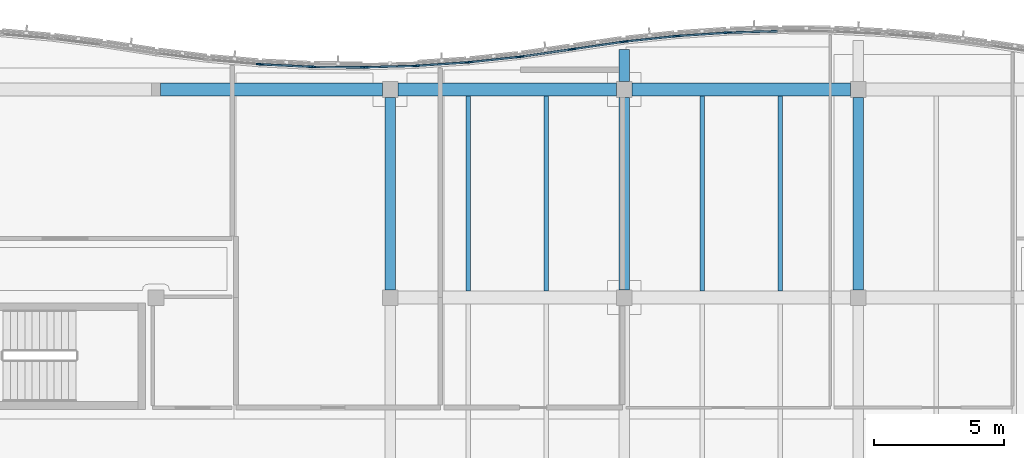
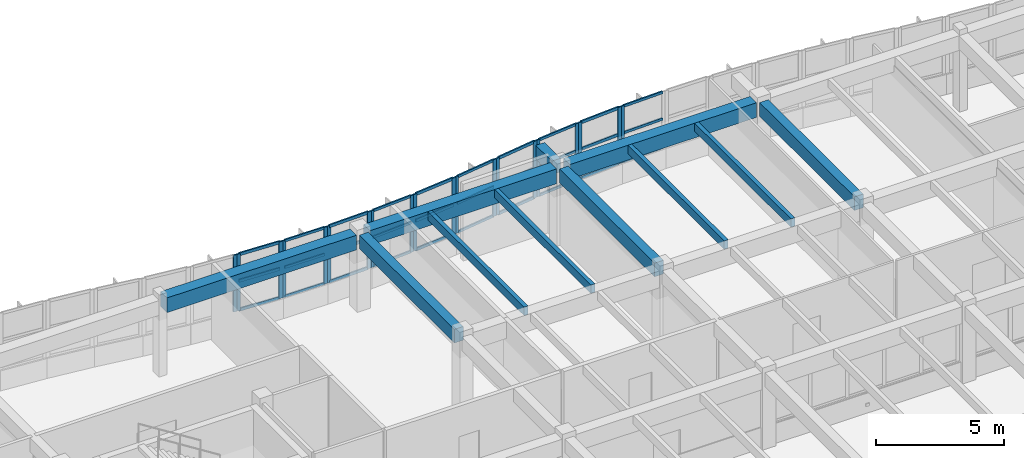
# One storey, part 23 of 89: 50 members, 11 beams, 11 elements without a shape of their own.
"""IFC4 building model written with IfcOpenShell, lengths in metres."""

from ifc_helpers import new_model, si_unit, direction, frame, origin, origin_2d, place, context, subcontext, project, spatial, rectangle, extrude, material, layer, layer_set, material_profile, profile_set, type_object, element, aggregate, save


model = new_model("IFC4")

# Units and contexts
model_context = context("Model", 3, precision=1e-05, world=origin(), true_north=direction((0.0, 1.0)))
body_context = subcontext(model_context, "Body", "Model", "MODEL_VIEW")
ifc_project = project(units=[si_unit("LENGTHUNIT", "METRE"), si_unit("AREAUNIT", "SQUARE_METRE"), si_unit("VOLUMEUNIT", "CUBIC_METRE"), si_unit("PLANEANGLEUNIT", "RADIAN"), si_unit("MASSUNIT", "GRAM", prefix="KILO")], contexts=[model_context])

# Site, building, storey
site_placement = place(None, origin())
site = spatial("IfcSite", under=ifc_project, at=site_placement, CompositionType="ELEMENT")
building_placement = place(site_placement, origin())
building = spatial("IfcBuilding", under=site, at=building_placement, Name="Tonlespit Floodbar School", CompositionType="ELEMENT")
storey_placement = place(building_placement, frame((0.0, 0.0, 4.5)))
storey = spatial("IfcBuildingStorey", under=building, at=storey_placement, Name="L01", CompositionType="ELEMENT", Elevation=4.5)

# Beams
ifc_material_1 = material(Name="Concrete C40/50", Category="concrete")
ifc_material_profile_1 = material_profile(ifc_material_1, rectangle(XDim=0.39990234375, YDim=0.64990234375, at=origin_2d()), Name="RC 400x650")
ifc_profile_set_1 = profile_set([ifc_material_profile_1], Name="Concrete C40/50")
beam_type_1 = type_object("IfcBeamType", Name="Beam_RC_400x650", PredefinedType="BEAM", material=ifc_profile_set_1)
for number, where, z_axis, x_axis, name in (
    (1, (71.0, 112.300048828125, 3.320068359375), (0.0, 1.0, 0.0), (-1.0, 0.0, 0.0), "L01 girder 0733"),
    (2, (80.0, 112.300048828125, 3.320068359375), (0.0, 1.0, 0.0), (-1.0, 0.0, 0.0), "L01 girder 0736"),
    (3, (89.0, 112.300048828125, 3.320068359375), (0.0, 1.0, 0.0), (-1.0, 0.0, 0.0), "L01 girder 0739"),
):
    element("IfcBeam", number, at=place(storey_placement, frame(where, z_axis=z_axis, x_axis=x_axis)), inside=storey, type_object=beam_type_1, Name=name, PredefinedType="BEAM", context=body_context, shape_type="SweptSolid", body=[
        extrude(rectangle(XDim=0.39990234375, YDim=0.64990234375, at=origin_2d()), origin(), (0.0, 0.0, 1.0), 7.39990234375),
    ])
beam_1_placement = place(storey_placement, frame((80.0, 120.300048828125, 3.320068359375), z_axis=(0.0, 1.0, 0.0), x_axis=(-1.0, 0.0, 0.0)))
element("IfcBeam", 4, at=beam_1_placement, inside=storey, type_object=beam_type_1, Name="L01 north street wave cantilever bracket", PredefinedType="BEAM", context=body_context, shape_type="SweptSolid", body=[
    extrude(rectangle(XDim=0.39990234375, YDim=0.64990234375, at=origin_2d()), origin(), (0.0, 0.0, 1.0), 1.241455078125),
])

# Curtain wall, member
ifc_material_2 = material(Name="Anodised Aluminium", Category="aluminium")
ifc_layer_1 = layer(ifc_material_2, 0.159912109375)
ifc_layer_set_1 = layer_set([ifc_layer_1], Name="Anodised Aluminium")
curtain_wall_type_1 = type_object("IfcCurtainWallType", Name="CurtainWall_1950x2700", PredefinedType="NOTDEFINED", material=ifc_layer_set_1)
curtain_wall_1_placement = place(storey_placement, origin())
curtain_wall_1 = element("IfcCurtainWall", 5, at=curtain_wall_1_placement, inside=storey, type_object=curtain_wall_type_1, Name="L01 unitised curtain wall 0050", PredefinedType="NOTDEFINED")
ifc_material_profile_2 = material_profile(ifc_material_2, rectangle(XDim=0.06494140625, YDim=0.14990234375, at=origin_2d()), Name="ALU M65x150")
ifc_profile_set_2 = profile_set([ifc_material_profile_2], Name="Anodised Aluminium")
member_type_1 = type_object("IfcMemberType", Name="CW_Mullion_65x150", PredefinedType="MULLION", material=ifc_profile_set_2)
member_1_placement = place(storey_placement, frame((65.927734375, 120.974853515625, 0.949951171875), z_axis=(0.0, 0.0, 1.0), x_axis=(0.086531117454, 0.996249148412, 0.0)))
member_1 = element("IfcMember", 6, at=member_1_placement, type_object=member_type_1, Name="CW-04 mullion 2", PredefinedType="MULLION", context=body_context, shape_type="SweptSolid", body=[
    extrude(rectangle(XDim=0.06494140625, YDim=0.14990234375, at=origin_2d()), origin(), (0.0, 0.0, 1.0), 2.699951171875),
])
aggregate(curtain_wall_1, [member_1])

# Curtain wall, members
ifc_layer_2 = layer(ifc_material_2, 0.159912109375)
ifc_layer_set_2 = layer_set([ifc_layer_2], Name="Anodised Aluminium")
curtain_wall_type_2 = type_object("IfcCurtainWallType", Name="CurtainWall_1900x2700", PredefinedType="NOTDEFINED", material=ifc_layer_set_2)
curtain_wall_2_placement = place(storey_placement, origin())
curtain_wall_2 = element("IfcCurtainWall", 7, at=curtain_wall_2_placement, inside=storey, type_object=curtain_wall_type_2, Name="L01 unitised curtain wall 0052", PredefinedType="NOTDEFINED")
member_2_placement = place(storey_placement, frame((68.072509765625, 120.87158203125, 0.949951171875), z_axis=(0.0, 0.0, 1.0), x_axis=(0.009582893292, 0.999954083024, 0.0)))
member_2 = element("IfcMember", 8, at=member_2_placement, type_object=member_type_1, Name="CW-05 mullion 1", PredefinedType="MULLION", context=body_context, shape_type="SweptSolid", body=[
    extrude(rectangle(XDim=0.06494140625, YDim=0.14990234375, at=origin_2d()), origin(), (0.0, 0.0, 1.0), 2.699951171875),
])
member_3_placement = place(storey_placement, frame((69.927490234375, 120.853759765625, 0.949951171875), z_axis=(0.0, 0.0, 1.0), x_axis=(0.009582893292, 0.999954083024, 0.0)))
member_3 = element("IfcMember", 9, at=member_3_placement, type_object=member_type_1, Name="CW-05 mullion 2", PredefinedType="MULLION", context=body_context, shape_type="SweptSolid", body=[
    extrude(rectangle(XDim=0.06494140625, YDim=0.14990234375, at=origin_2d()), origin(), (0.0, 0.0, 1.0), 2.699951171875),
])

curtain_wall_3_placement = place(storey_placement, origin())
curtain_wall_3 = element("IfcCurtainWall", 10, at=curtain_wall_3_placement, inside=storey, type_object=curtain_wall_type_2, Name="L01 unitised curtain wall 0054", PredefinedType="NOTDEFINED")
member_4_placement = place(storey_placement, frame((72.072265625, 120.91552734375, 0.949951171875), z_axis=(0.0, 0.0, 1.0), x_axis=(-0.067339767311, 0.99773010165, 0.0)))
member_4 = element("IfcMember", 11, at=member_4_placement, type_object=member_type_1, Name="CW-05 mullion 1", PredefinedType="MULLION", context=body_context, shape_type="SweptSolid", body=[
    extrude(rectangle(XDim=0.06494140625, YDim=0.14990234375, at=origin_2d()), origin(), (0.0, 0.0, 1.0), 2.699951171875),
])
member_5_placement = place(storey_placement, frame((73.927734375, 121.040771484375, 0.949951171875), z_axis=(0.0, 0.0, 1.0), x_axis=(-0.067339767311, 0.99773010165, 0.0)))
member_5 = element("IfcMember", 12, at=member_5_placement, type_object=member_type_1, Name="CW-05 mullion 2", PredefinedType="MULLION", context=body_context, shape_type="SweptSolid", body=[
    extrude(rectangle(XDim=0.06494140625, YDim=0.14990234375, at=origin_2d()), origin(), (0.0, 0.0, 1.0), 2.699951171875),
])

curtain_wall_4_placement = place(storey_placement, origin())
curtain_wall_4 = element("IfcCurtainWall", 13, at=curtain_wall_4_placement, inside=storey, type_object=curtain_wall_type_1, Name="L01 unitised curtain wall 0056", PredefinedType="NOTDEFINED")
member_6_placement = place(storey_placement, frame((76.07177734375, 121.268798828125, 0.949951171875), z_axis=(0.0, 0.0, 1.0), x_axis=(-0.144248041079, 0.989541561858, 0.0)))
member_6 = element("IfcMember", 14, at=member_6_placement, type_object=member_type_1, Name="CW-04 mullion 1", PredefinedType="MULLION", context=body_context, shape_type="SweptSolid", body=[
    extrude(rectangle(XDim=0.06494140625, YDim=0.14990234375, at=origin_2d()), origin(), (0.0, 0.0, 1.0), 2.699951171875),
])
member_7_placement = place(storey_placement, frame((77.92822265625, 121.53955078125, 0.949951171875), z_axis=(0.0, 0.0, 1.0), x_axis=(-0.144248041079, 0.989541561858, 0.0)))
member_7 = element("IfcMember", 15, at=member_7_placement, type_object=member_type_1, Name="CW-04 mullion 2", PredefinedType="MULLION", context=body_context, shape_type="SweptSolid", body=[
    extrude(rectangle(XDim=0.06494140625, YDim=0.14990234375, at=origin_2d()), origin(), (0.0, 0.0, 1.0), 2.699951171875),
])

curtain_wall_5_placement = place(storey_placement, origin())
curtain_wall_5 = element("IfcCurtainWall", 16, at=curtain_wall_5_placement, inside=storey, type_object=curtain_wall_type_1, Name="L01 unitised curtain wall 0058", PredefinedType="NOTDEFINED")
member_8_placement = place(storey_placement, frame((80.072021484375, 121.84912109375, 0.949951171875), z_axis=(0.0, 0.0, 1.0), x_axis=(-0.105787143968, 0.994388797288, 0.0)))
member_8 = element("IfcMember", 17, at=member_8_placement, type_object=member_type_1, Name="CW-04 mullion 1", PredefinedType="MULLION", context=body_context, shape_type="SweptSolid", body=[
    extrude(rectangle(XDim=0.06494140625, YDim=0.14990234375, at=origin_2d()), origin(), (0.0, 0.0, 1.0), 2.699951171875),
])
member_9_placement = place(storey_placement, frame((81.927978515625, 122.046630859375, 0.949951171875), z_axis=(0.0, 0.0, 1.0), x_axis=(-0.105787143968, 0.994388797288, 0.0)))
member_9 = element("IfcMember", 18, at=member_9_placement, type_object=member_type_1, Name="CW-04 mullion 2", PredefinedType="MULLION", context=body_context, shape_type="SweptSolid", body=[
    extrude(rectangle(XDim=0.06494140625, YDim=0.14990234375, at=origin_2d()), origin(), (0.0, 0.0, 1.0), 2.699951171875),
])

# Curtain wall, member
curtain_wall_6_placement = place(storey_placement, origin())
curtain_wall_6 = element("IfcCurtainWall", 19, at=curtain_wall_6_placement, inside=storey, type_object=curtain_wall_type_2, Name="L01 unitised curtain wall 0060", PredefinedType="NOTDEFINED")
member_10_placement = place(storey_placement, frame((84.072509765625, 122.19140625, 0.949951171875), z_axis=(0.0, 0.0, 1.0), x_axis=(-0.028790144226, 0.999585477883, 0.0)))
member_10 = element("IfcMember", 20, at=member_10_placement, type_object=member_type_1, Name="CW-05 mullion 1", PredefinedType="MULLION", context=body_context, shape_type="SweptSolid", body=[
    extrude(rectangle(XDim=0.06494140625, YDim=0.14990234375, at=origin_2d()), origin(), (0.0, 0.0, 1.0), 2.699951171875),
])

# Curtain wall, members
curtain_wall_7_placement = place(storey_placement, origin())
curtain_wall_7 = element("IfcCurtainWall", 21, at=curtain_wall_7_placement, inside=storey, type_object=curtain_wall_type_2, Name="L01 unitised curtain wall 0051", PredefinedType="NOTDEFINED")
ifc_material_profile_3 = material_profile(ifc_material_2, rectangle(XDim=0.06494140625, YDim=0.179931640625, at=origin_2d()), Name="ALU M65x180")
ifc_profile_set_3 = profile_set([ifc_material_profile_3], Name="Anodised Aluminium")
member_type_2 = type_object("IfcMemberType", Name="CW_Mullion_65x180", PredefinedType="MULLION", material=ifc_profile_set_3)
member_11_placement = place(storey_placement, frame((66.072509765625, 120.965087890625, 0.949951171875), z_axis=(0.0, 0.0, 1.0), x_axis=(0.048121270216, 0.998841500616, 0.0)))
member_11 = element("IfcMember", 22, at=member_11_placement, type_object=member_type_2, Name="CW-05 mullion 1", PredefinedType="MULLION", context=body_context, shape_type="SweptSolid", body=[
    extrude(rectangle(XDim=0.06494140625, YDim=0.179931640625, at=origin_2d()), origin(), (0.0, 0.0, 1.0), 2.699951171875),
])
member_12_placement = place(storey_placement, frame((67.927490234375, 120.875732421875, 0.949951171875), z_axis=(0.0, 0.0, 1.0), x_axis=(0.048121270216, 0.998841500616, 0.0)))
member_12 = element("IfcMember", 23, at=member_12_placement, type_object=member_type_2, Name="CW-05 mullion 2", PredefinedType="MULLION", context=body_context, shape_type="SweptSolid", body=[
    extrude(rectangle(XDim=0.06494140625, YDim=0.179931640625, at=origin_2d()), origin(), (0.0, 0.0, 1.0), 2.699951171875),
])

curtain_wall_8_placement = place(storey_placement, origin())
curtain_wall_8 = element("IfcCurtainWall", 24, at=curtain_wall_8_placement, inside=storey, type_object=curtain_wall_type_2, Name="L01 unitised curtain wall 0053", PredefinedType="NOTDEFINED")
member_13_placement = place(storey_placement, frame((70.072509765625, 120.855224609375, 0.949951171875), z_axis=(0.0, 0.0, 1.0), x_axis=(-0.028790144226, 0.999585477883, 0.0)))
member_13 = element("IfcMember", 25, at=member_13_placement, type_object=member_type_2, Name="CW-05 mullion 1", PredefinedType="MULLION", context=body_context, shape_type="SweptSolid", body=[
    extrude(rectangle(XDim=0.06494140625, YDim=0.179931640625, at=origin_2d()), origin(), (0.0, 0.0, 1.0), 2.699951171875),
])
member_14_placement = place(storey_placement, frame((71.927490234375, 120.908447265625, 0.949951171875), z_axis=(0.0, 0.0, 1.0), x_axis=(-0.028790144226, 0.999585477883, 0.0)))
member_14 = element("IfcMember", 26, at=member_14_placement, type_object=member_type_2, Name="CW-05 mullion 2", PredefinedType="MULLION", context=body_context, shape_type="SweptSolid", body=[
    extrude(rectangle(XDim=0.06494140625, YDim=0.179931640625, at=origin_2d()), origin(), (0.0, 0.0, 1.0), 2.699951171875),
])

curtain_wall_9_placement = place(storey_placement, origin())
curtain_wall_9 = element("IfcCurtainWall", 27, at=curtain_wall_9_placement, inside=storey, type_object=curtain_wall_type_1, Name="L01 unitised curtain wall 0055", PredefinedType="NOTDEFINED")
member_15_placement = place(storey_placement, frame((74.072021484375, 121.05322265625, 0.949951171875), z_axis=(0.0, 0.0, 1.0), x_axis=(-0.105787143968, 0.994388797288, 0.0)))
member_15 = element("IfcMember", 28, at=member_15_placement, type_object=member_type_2, Name="CW-04 mullion 1", PredefinedType="MULLION", context=body_context, shape_type="SweptSolid", body=[
    extrude(rectangle(XDim=0.06494140625, YDim=0.179931640625, at=origin_2d()), origin(), (0.0, 0.0, 1.0), 2.699951171875),
])
member_16_placement = place(storey_placement, frame((75.927978515625, 121.250732421875, 0.949951171875), z_axis=(0.0, 0.0, 1.0), x_axis=(-0.105787143968, 0.994388797288, 0.0)))
member_16 = element("IfcMember", 29, at=member_16_placement, type_object=member_type_2, Name="CW-04 mullion 2", PredefinedType="MULLION", context=body_context, shape_type="SweptSolid", body=[
    extrude(rectangle(XDim=0.06494140625, YDim=0.179931640625, at=origin_2d()), origin(), (0.0, 0.0, 1.0), 2.699951171875),
])

curtain_wall_10_placement = place(storey_placement, origin())
curtain_wall_10 = element("IfcCurtainWall", 30, at=curtain_wall_10_placement, inside=storey, type_object=curtain_wall_type_1, Name="L01 unitised curtain wall 0057", PredefinedType="NOTDEFINED")
member_17_placement = place(storey_placement, frame((78.07177734375, 121.560546875, 0.949951171875), z_axis=(0.0, 0.0, 1.0), x_axis=(-0.144248041079, 0.989541561858, 0.0)))
member_17 = element("IfcMember", 31, at=member_17_placement, type_object=member_type_2, Name="CW-04 mullion 1", PredefinedType="MULLION", context=body_context, shape_type="SweptSolid", body=[
    extrude(rectangle(XDim=0.06494140625, YDim=0.179931640625, at=origin_2d()), origin(), (0.0, 0.0, 1.0), 2.699951171875),
])
member_18_placement = place(storey_placement, frame((79.92822265625, 121.8310546875, 0.949951171875), z_axis=(0.0, 0.0, 1.0), x_axis=(-0.144248041079, 0.989541561858, 0.0)))
member_18 = element("IfcMember", 32, at=member_18_placement, type_object=member_type_2, Name="CW-04 mullion 2", PredefinedType="MULLION", context=body_context, shape_type="SweptSolid", body=[
    extrude(rectangle(XDim=0.06494140625, YDim=0.179931640625, at=origin_2d()), origin(), (0.0, 0.0, 1.0), 2.699951171875),
])

curtain_wall_11_placement = place(storey_placement, origin())
curtain_wall_11 = element("IfcCurtainWall", 33, at=curtain_wall_11_placement, inside=storey, type_object=curtain_wall_type_2, Name="L01 unitised curtain wall 0059", PredefinedType="NOTDEFINED")
member_19_placement = place(storey_placement, frame((82.072265625, 122.05908203125, 0.949951171875), z_axis=(0.0, 0.0, 1.0), x_axis=(-0.067339767311, 0.99773010165, 0.0)))
member_19 = element("IfcMember", 34, at=member_19_placement, type_object=member_type_2, Name="CW-05 mullion 1", PredefinedType="MULLION", context=body_context, shape_type="SweptSolid", body=[
    extrude(rectangle(XDim=0.06494140625, YDim=0.179931640625, at=origin_2d()), origin(), (0.0, 0.0, 1.0), 2.699951171875),
])
member_20_placement = place(storey_placement, frame((83.927734375, 122.184326171875, 0.949951171875), z_axis=(0.0, 0.0, 1.0), x_axis=(-0.067339767311, 0.99773010165, 0.0)))
member_20 = element("IfcMember", 35, at=member_20_placement, type_object=member_type_2, Name="CW-05 mullion 2", PredefinedType="MULLION", context=body_context, shape_type="SweptSolid", body=[
    extrude(rectangle(XDim=0.06494140625, YDim=0.179931640625, at=origin_2d()), origin(), (0.0, 0.0, 1.0), 2.699951171875),
])

# Member
ifc_material_profile_4 = material_profile(ifc_material_2, rectangle(XDim=0.06494140625, YDim=0.1201171875, at=origin_2d()), Name="ALU T65x120")
ifc_profile_set_4 = profile_set([ifc_material_profile_4], Name="Anodised Aluminium")
member_type_3 = type_object("IfcMemberType", Name="CW_Transom_65x120", PredefinedType="USERDEFINED", material=ifc_profile_set_4)
member_21_placement = place(storey_placement, frame((68.10498046875, 120.87109375, 0.982421875), z_axis=(0.999954428693, -0.00954675532, 0.0), x_axis=(0.00954675532, 0.999954428693, 0.0)))
member_21 = element("IfcMember", 36, at=member_21_placement, type_object=member_type_3, Name="CW-05 transom 1.1", ObjectType="TRANSOM", PredefinedType="USERDEFINED", context=body_context, shape_type="SweptSolid", body=[
    extrude(rectangle(XDim=0.06494140625, YDim=0.1201171875, at=origin_2d()), origin(), (0.0, 0.0, 1.0), 1.7900390625),
])

member_22_placement = place(storey_placement, frame((68.10498046875, 120.87109375, 2.35400390625), z_axis=(0.999954428693, -0.00954675532, 0.0), x_axis=(0.00954675532, 0.999954428693, 0.0)))
member_22 = element("IfcMember", 37, at=member_22_placement, type_object=member_type_3, Name="CW-05 transom 1.2", ObjectType="TRANSOM", PredefinedType="USERDEFINED", context=body_context, shape_type="SweptSolid", body=[
    extrude(rectangle(XDim=0.06494140625, YDim=0.1201171875, at=origin_2d()), origin(), (0.0, 0.0, 1.0), 1.7900390625),
])

member_23_placement = place(storey_placement, frame((68.10498046875, 120.87109375, 3.617431640625), z_axis=(0.999954428693, -0.00954675532, 0.0), x_axis=(0.00954675532, 0.999954428693, 0.0)))
member_23 = element("IfcMember", 38, at=member_23_placement, type_object=member_type_3, Name="CW-05 transom 1.3", ObjectType="TRANSOM", PredefinedType="USERDEFINED", context=body_context, shape_type="SweptSolid", body=[
    extrude(rectangle(XDim=0.06494140625, YDim=0.1201171875, at=origin_2d()), origin(), (0.0, 0.0, 1.0), 1.7900390625),
])

aggregate(curtain_wall_2, [member_2, member_3, member_21, member_22, member_23])

member_24_placement = place(storey_placement, frame((72.104736328125, 120.917724609375, 0.982421875), z_axis=(0.997730041674, 0.067340655935, 0.0), x_axis=(-0.067340655935, 0.997730041674, 0.0)))
member_24 = element("IfcMember", 39, at=member_24_placement, type_object=member_type_3, Name="CW-05 transom 1.1", ObjectType="TRANSOM", PredefinedType="USERDEFINED", context=body_context, shape_type="SweptSolid", body=[
    extrude(rectangle(XDim=0.06494140625, YDim=0.1201171875, at=origin_2d()), origin(), (0.0, 0.0, 1.0), 1.794677734375),
])

member_25_placement = place(storey_placement, frame((72.104736328125, 120.917724609375, 2.35400390625), z_axis=(0.997730041674, 0.067340655935, 0.0), x_axis=(-0.067340655935, 0.997730041674, 0.0)))
member_25 = element("IfcMember", 40, at=member_25_placement, type_object=member_type_3, Name="CW-05 transom 1.2", ObjectType="TRANSOM", PredefinedType="USERDEFINED", context=body_context, shape_type="SweptSolid", body=[
    extrude(rectangle(XDim=0.06494140625, YDim=0.1201171875, at=origin_2d()), origin(), (0.0, 0.0, 1.0), 1.794677734375),
])

member_26_placement = place(storey_placement, frame((72.104736328125, 120.917724609375, 3.617431640625), z_axis=(0.997730041674, 0.067340655935, 0.0), x_axis=(-0.067340655935, 0.997730041674, 0.0)))
member_26 = element("IfcMember", 41, at=member_26_placement, type_object=member_type_3, Name="CW-05 transom 1.3", ObjectType="TRANSOM", PredefinedType="USERDEFINED", context=body_context, shape_type="SweptSolid", body=[
    extrude(rectangle(XDim=0.06494140625, YDim=0.1201171875, at=origin_2d()), origin(), (0.0, 0.0, 1.0), 1.794677734375),
])

aggregate(curtain_wall_3, [member_4, member_5, member_24, member_25, member_26])

member_27_placement = place(storey_placement, frame((76.10400390625, 121.273681640625, 0.982421875), z_axis=(0.989541000818, 0.144251889765, 0.0), x_axis=(-0.144251889765, 0.989541000818, 0.0)))
member_27 = element("IfcMember", 42, at=member_27_placement, type_object=member_type_3, Name="CW-04 transom 1.1", ObjectType="TRANSOM", PredefinedType="USERDEFINED", context=body_context, shape_type="SweptSolid", body=[
    extrude(rectangle(XDim=0.06494140625, YDim=0.1201171875, at=origin_2d()), origin(), (0.0, 0.0, 1.0), 1.81103515625),
])

member_28_placement = place(storey_placement, frame((76.10400390625, 121.273681640625, 2.35400390625), z_axis=(0.989541000818, 0.144251889765, 0.0), x_axis=(-0.144251889765, 0.989541000818, 0.0)))
member_28 = element("IfcMember", 43, at=member_28_placement, type_object=member_type_3, Name="CW-04 transom 1.2", ObjectType="TRANSOM", PredefinedType="USERDEFINED", context=body_context, shape_type="SweptSolid", body=[
    extrude(rectangle(XDim=0.06494140625, YDim=0.1201171875, at=origin_2d()), origin(), (0.0, 0.0, 1.0), 1.81103515625),
])

member_29_placement = place(storey_placement, frame((76.10400390625, 121.273681640625, 3.617431640625), z_axis=(0.989541000818, 0.144251889765, 0.0), x_axis=(-0.144251889765, 0.989541000818, 0.0)))
member_29 = element("IfcMember", 44, at=member_29_placement, type_object=member_type_3, Name="CW-04 transom 1.3", ObjectType="TRANSOM", PredefinedType="USERDEFINED", context=body_context, shape_type="SweptSolid", body=[
    extrude(rectangle(XDim=0.06494140625, YDim=0.1201171875, at=origin_2d()), origin(), (0.0, 0.0, 1.0), 1.81103515625),
])

aggregate(curtain_wall_4, [member_6, member_7, member_27, member_28, member_29])

member_30_placement = place(storey_placement, frame((80.1044921875, 121.852783203125, 0.982421875), z_axis=(0.994394979136, 0.105729019047, 0.0), x_axis=(-0.105729019047, 0.994394979136, 0.0)))
member_30 = element("IfcMember", 45, at=member_30_placement, type_object=member_type_3, Name="CW-04 transom 1.1", ObjectType="TRANSOM", PredefinedType="USERDEFINED", context=body_context, shape_type="SweptSolid", body=[
    extrude(rectangle(XDim=0.06494140625, YDim=0.1201171875, at=origin_2d()), origin(), (0.0, 0.0, 1.0), 1.801025390625),
])

member_31_placement = place(storey_placement, frame((80.1044921875, 121.852783203125, 2.35400390625), z_axis=(0.994394979136, 0.105729019047, 0.0), x_axis=(-0.105729019047, 0.994394979136, 0.0)))
member_31 = element("IfcMember", 46, at=member_31_placement, type_object=member_type_3, Name="CW-04 transom 1.2", ObjectType="TRANSOM", PredefinedType="USERDEFINED", context=body_context, shape_type="SweptSolid", body=[
    extrude(rectangle(XDim=0.06494140625, YDim=0.1201171875, at=origin_2d()), origin(), (0.0, 0.0, 1.0), 1.801025390625),
])

member_32_placement = place(storey_placement, frame((80.1044921875, 121.852783203125, 3.617431640625), z_axis=(0.994394979136, 0.105729019047, 0.0), x_axis=(-0.105729019047, 0.994394979136, 0.0)))
member_32 = element("IfcMember", 47, at=member_32_placement, type_object=member_type_3, Name="CW-04 transom 1.3", ObjectType="TRANSOM", PredefinedType="USERDEFINED", context=body_context, shape_type="SweptSolid", body=[
    extrude(rectangle(XDim=0.06494140625, YDim=0.1201171875, at=origin_2d()), origin(), (0.0, 0.0, 1.0), 1.801025390625),
])

aggregate(curtain_wall_5, [member_8, member_9, member_30, member_31, member_32])

member_33_placement = place(storey_placement, frame((84.10498046875, 122.1923828125, 0.982421875), z_axis=(0.999586171543, 0.02876605049, 0.0), x_axis=(-0.02876605049, 0.999586171543, 0.0)))
member_33 = element("IfcMember", 48, at=member_33_placement, type_object=member_type_3, Name="CW-05 transom 1.1", ObjectType="TRANSOM", PredefinedType="USERDEFINED", context=body_context, shape_type="SweptSolid", body=[
    extrude(rectangle(XDim=0.06494140625, YDim=0.1201171875, at=origin_2d()), origin(), (0.0, 0.0, 1.0), 1.790771484375),
])

member_34_placement = place(storey_placement, frame((84.10498046875, 122.1923828125, 2.35400390625), z_axis=(0.999586171543, 0.02876605049, 0.0), x_axis=(-0.02876605049, 0.999586171543, 0.0)))
member_34 = element("IfcMember", 49, at=member_34_placement, type_object=member_type_3, Name="CW-05 transom 1.2", ObjectType="TRANSOM", PredefinedType="USERDEFINED", context=body_context, shape_type="SweptSolid", body=[
    extrude(rectangle(XDim=0.06494140625, YDim=0.1201171875, at=origin_2d()), origin(), (0.0, 0.0, 1.0), 1.790771484375),
])

member_35_placement = place(storey_placement, frame((84.10498046875, 122.1923828125, 3.617431640625), z_axis=(0.999586171543, 0.02876605049, 0.0), x_axis=(-0.02876605049, 0.999586171543, 0.0)))
member_35 = element("IfcMember", 50, at=member_35_placement, type_object=member_type_3, Name="CW-05 transom 1.3", ObjectType="TRANSOM", PredefinedType="USERDEFINED", context=body_context, shape_type="SweptSolid", body=[
    extrude(rectangle(XDim=0.06494140625, YDim=0.1201171875, at=origin_2d()), origin(), (0.0, 0.0, 1.0), 1.790771484375),
])

aggregate(curtain_wall_6, [member_10, member_33, member_34, member_35])

ifc_material_profile_5 = material_profile(ifc_material_2, rectangle(XDim=0.06494140625, YDim=0.139892578125, at=origin_2d()), Name="ALU T65x140")
ifc_profile_set_5 = profile_set([ifc_material_profile_5], Name="Anodised Aluminium")
member_type_4 = type_object("IfcMemberType", Name="CW_Transom_65x140", PredefinedType="USERDEFINED", material=ifc_profile_set_5)
member_36_placement = place(storey_placement, frame((66.10498046875, 120.96337890625, 0.982421875), z_axis=(0.998843034795, -0.048089415069, 0.0), x_axis=(0.048089415069, 0.998843034795, 0.0)))
member_36 = element("IfcMember", 51, at=member_36_placement, type_object=member_type_4, Name="CW-05 transom 1.1", ObjectType="TRANSOM", PredefinedType="USERDEFINED", context=body_context, shape_type="SweptSolid", body=[
    extrude(rectangle(XDim=0.06494140625, YDim=0.139892578125, at=origin_2d()), origin(), (0.0, 0.0, 1.0), 1.7919921875),
])

member_37_placement = place(storey_placement, frame((66.10498046875, 120.96337890625, 2.35400390625), z_axis=(0.998843034795, -0.048089415069, 0.0), x_axis=(0.048089415069, 0.998843034795, 0.0)))
member_37 = element("IfcMember", 52, at=member_37_placement, type_object=member_type_4, Name="CW-05 transom 1.2", ObjectType="TRANSOM", PredefinedType="USERDEFINED", context=body_context, shape_type="SweptSolid", body=[
    extrude(rectangle(XDim=0.06494140625, YDim=0.139892578125, at=origin_2d()), origin(), (0.0, 0.0, 1.0), 1.7919921875),
])

member_38_placement = place(storey_placement, frame((66.10498046875, 120.96337890625, 3.617431640625), z_axis=(0.998843034795, -0.048089415069, 0.0), x_axis=(0.048089415069, 0.998843034795, 0.0)))
member_38 = element("IfcMember", 53, at=member_38_placement, type_object=member_type_4, Name="CW-05 transom 1.3", ObjectType="TRANSOM", PredefinedType="USERDEFINED", context=body_context, shape_type="SweptSolid", body=[
    extrude(rectangle(XDim=0.06494140625, YDim=0.139892578125, at=origin_2d()), origin(), (0.0, 0.0, 1.0), 1.7919921875),
])

aggregate(curtain_wall_7, [member_11, member_12, member_36, member_37, member_38])

member_39_placement = place(storey_placement, frame((70.10498046875, 120.85595703125, 0.982421875), z_axis=(0.999582242166, 0.028902268868, 0.0), x_axis=(-0.028902268868, 0.999582242166, 0.0)))
member_39 = element("IfcMember", 54, at=member_39_placement, type_object=member_type_4, Name="CW-05 transom 1.1", ObjectType="TRANSOM", PredefinedType="USERDEFINED", context=body_context, shape_type="SweptSolid", body=[
    extrude(rectangle(XDim=0.06494140625, YDim=0.139892578125, at=origin_2d()), origin(), (0.0, 0.0, 1.0), 1.790771484375),
])

member_40_placement = place(storey_placement, frame((70.10498046875, 120.85595703125, 2.35400390625), z_axis=(0.999582242166, 0.028902268868, 0.0), x_axis=(-0.028902268868, 0.999582242166, 0.0)))
member_40 = element("IfcMember", 55, at=member_40_placement, type_object=member_type_4, Name="CW-05 transom 1.2", ObjectType="TRANSOM", PredefinedType="USERDEFINED", context=body_context, shape_type="SweptSolid", body=[
    extrude(rectangle(XDim=0.06494140625, YDim=0.139892578125, at=origin_2d()), origin(), (0.0, 0.0, 1.0), 1.790771484375),
])

member_41_placement = place(storey_placement, frame((70.10498046875, 120.85595703125, 3.617431640625), z_axis=(0.999582242166, 0.028902268868, 0.0), x_axis=(-0.028902268868, 0.999582242166, 0.0)))
member_41 = element("IfcMember", 56, at=member_41_placement, type_object=member_type_4, Name="CW-05 transom 1.3", ObjectType="TRANSOM", PredefinedType="USERDEFINED", context=body_context, shape_type="SweptSolid", body=[
    extrude(rectangle(XDim=0.06494140625, YDim=0.139892578125, at=origin_2d()), origin(), (0.0, 0.0, 1.0), 1.790771484375),
])

aggregate(curtain_wall_8, [member_13, member_14, member_39, member_40, member_41])

member_42_placement = place(storey_placement, frame((74.1044921875, 121.056884765625, 0.982421875), z_axis=(0.994394979136, 0.105729019047, 0.0), x_axis=(-0.105729019047, 0.994394979136, 0.0)))
member_42 = element("IfcMember", 57, at=member_42_placement, type_object=member_type_4, Name="CW-04 transom 1.1", ObjectType="TRANSOM", PredefinedType="USERDEFINED", context=body_context, shape_type="SweptSolid", body=[
    extrude(rectangle(XDim=0.06494140625, YDim=0.139892578125, at=origin_2d()), origin(), (0.0, 0.0, 1.0), 1.801025390625),
])

member_43_placement = place(storey_placement, frame((74.1044921875, 121.056884765625, 2.35400390625), z_axis=(0.994394979136, 0.105729019047, 0.0), x_axis=(-0.105729019047, 0.994394979136, 0.0)))
member_43 = element("IfcMember", 58, at=member_43_placement, type_object=member_type_4, Name="CW-04 transom 1.2", ObjectType="TRANSOM", PredefinedType="USERDEFINED", context=body_context, shape_type="SweptSolid", body=[
    extrude(rectangle(XDim=0.06494140625, YDim=0.139892578125, at=origin_2d()), origin(), (0.0, 0.0, 1.0), 1.801025390625),
])

member_44_placement = place(storey_placement, frame((74.1044921875, 121.056884765625, 3.617431640625), z_axis=(0.994394979136, 0.105729019047, 0.0), x_axis=(-0.105729019047, 0.994394979136, 0.0)))
member_44 = element("IfcMember", 59, at=member_44_placement, type_object=member_type_4, Name="CW-04 transom 1.3", ObjectType="TRANSOM", PredefinedType="USERDEFINED", context=body_context, shape_type="SweptSolid", body=[
    extrude(rectangle(XDim=0.06494140625, YDim=0.139892578125, at=origin_2d()), origin(), (0.0, 0.0, 1.0), 1.801025390625),
])

aggregate(curtain_wall_9, [member_15, member_16, member_42, member_43, member_44])

member_45_placement = place(storey_placement, frame((78.10400390625, 121.565185546875, 0.982421875), z_axis=(0.989541000818, 0.144251889765, 0.0), x_axis=(-0.144251889765, 0.989541000818, 0.0)))
member_45 = element("IfcMember", 60, at=member_45_placement, type_object=member_type_4, Name="CW-04 transom 1.1", ObjectType="TRANSOM", PredefinedType="USERDEFINED", context=body_context, shape_type="SweptSolid", body=[
    extrude(rectangle(XDim=0.06494140625, YDim=0.139892578125, at=origin_2d()), origin(), (0.0, 0.0, 1.0), 1.81103515625),
])

member_46_placement = place(storey_placement, frame((78.10400390625, 121.565185546875, 2.35400390625), z_axis=(0.989541000818, 0.144251889765, 0.0), x_axis=(-0.144251889765, 0.989541000818, 0.0)))
member_46 = element("IfcMember", 61, at=member_46_placement, type_object=member_type_4, Name="CW-04 transom 1.2", ObjectType="TRANSOM", PredefinedType="USERDEFINED", context=body_context, shape_type="SweptSolid", body=[
    extrude(rectangle(XDim=0.06494140625, YDim=0.139892578125, at=origin_2d()), origin(), (0.0, 0.0, 1.0), 1.81103515625),
])

member_47_placement = place(storey_placement, frame((78.10400390625, 121.565185546875, 3.617431640625), z_axis=(0.989541000818, 0.144251889765, 0.0), x_axis=(-0.144251889765, 0.989541000818, 0.0)))
member_47 = element("IfcMember", 62, at=member_47_placement, type_object=member_type_4, Name="CW-04 transom 1.3", ObjectType="TRANSOM", PredefinedType="USERDEFINED", context=body_context, shape_type="SweptSolid", body=[
    extrude(rectangle(XDim=0.06494140625, YDim=0.139892578125, at=origin_2d()), origin(), (0.0, 0.0, 1.0), 1.81103515625),
])

aggregate(curtain_wall_10, [member_17, member_18, member_45, member_46, member_47])

member_48_placement = place(storey_placement, frame((82.104736328125, 122.061279296875, 0.982421875), z_axis=(0.997730041674, 0.067340655935, 0.0), x_axis=(-0.067340655935, 0.997730041674, 0.0)))
member_48 = element("IfcMember", 63, at=member_48_placement, type_object=member_type_4, Name="CW-05 transom 1.1", ObjectType="TRANSOM", PredefinedType="USERDEFINED", context=body_context, shape_type="SweptSolid", body=[
    extrude(rectangle(XDim=0.06494140625, YDim=0.139892578125, at=origin_2d()), origin(), (0.0, 0.0, 1.0), 1.794677734375),
])

member_49_placement = place(storey_placement, frame((82.104736328125, 122.061279296875, 2.35400390625), z_axis=(0.997730041674, 0.067340655935, 0.0), x_axis=(-0.067340655935, 0.997730041674, 0.0)))
member_49 = element("IfcMember", 64, at=member_49_placement, type_object=member_type_4, Name="CW-05 transom 1.2", ObjectType="TRANSOM", PredefinedType="USERDEFINED", context=body_context, shape_type="SweptSolid", body=[
    extrude(rectangle(XDim=0.06494140625, YDim=0.139892578125, at=origin_2d()), origin(), (0.0, 0.0, 1.0), 1.794677734375),
])

member_50_placement = place(storey_placement, frame((82.104736328125, 122.061279296875, 3.617431640625), z_axis=(0.997730041674, 0.067340655935, 0.0), x_axis=(-0.067340655935, 0.997730041674, 0.0)))
member_50 = element("IfcMember", 65, at=member_50_placement, type_object=member_type_4, Name="CW-05 transom 1.3", ObjectType="TRANSOM", PredefinedType="USERDEFINED", context=body_context, shape_type="SweptSolid", body=[
    extrude(rectangle(XDim=0.06494140625, YDim=0.139892578125, at=origin_2d()), origin(), (0.0, 0.0, 1.0), 1.794677734375),
])

aggregate(curtain_wall_11, [member_19, member_20, member_48, member_49, member_50])

# Beams
ifc_material_3 = material(Name="Glulam GL28h", Category="wood")
ifc_material_profile_6 = material_profile(ifc_material_3, rectangle(XDim=0.179931640625, YDim=0.39990234375, at=origin_2d()), Name="GL 180x400")
ifc_profile_set_6 = profile_set([ifc_material_profile_6], Name="Glulam GL28h")
beam_type_2 = type_object("IfcBeamType", Name="Joist_GL_180x400", PredefinedType="JOIST", material=ifc_profile_set_6)
for number, where, z_axis, x_axis, name in (
    (66, (74.0, 112.25, 3.445068359375), (0.0, 1.0, 0.0), (-1.0, 0.0, 0.0), "L01 secondary joist 0900"),
    (67, (77.0, 112.25, 3.445068359375), (0.0, 1.0, 0.0), (-1.0, 0.0, 0.0), "L01 secondary joist 0901"),
    (68, (83.0, 112.25, 3.445068359375), (0.0, 1.0, 0.0), (-1.0, 0.0, 0.0), "L01 secondary joist 0902"),
    (69, (86.0, 112.25, 3.445068359375), (0.0, 1.0, 0.0), (-1.0, 0.0, 0.0), "L01 secondary joist 0903"),
):
    element("IfcBeam", number, at=place(storey_placement, frame(where, z_axis=z_axis, x_axis=x_axis)), inside=storey, type_object=beam_type_2, Name=name, PredefinedType="JOIST", context=body_context, shape_type="SweptSolid", body=[
        extrude(rectangle(XDim=0.179931640625, YDim=0.39990234375, at=origin_2d()), origin(), (0.0, 0.0, 1.0), 7.5),
    ])
ifc_material_profile_7 = material_profile(ifc_material_1, rectangle(XDim=0.5, YDim=0.699951171875, at=origin_2d()), Name="RC 500x700")
ifc_profile_set_7 = profile_set([ifc_material_profile_7], Name="Concrete C40/50")
beam_type_3 = type_object("IfcBeamType", Name="Spandrel_RC_500x700", PredefinedType="SPANDREL", material=ifc_profile_set_7)
beam_2_placement = place(storey_placement, frame((62.175048828125, 120.0, 3.294921875), z_axis=(1.0, 0.0, 0.0), x_axis=(0.0, 1.0, 0.0)))
element("IfcBeam", 70, at=beam_2_placement, inside=storey, type_object=beam_type_3, Name="L01 girder 0657", PredefinedType="SPANDREL", context=body_context, shape_type="SweptSolid", body=[
    extrude(rectangle(XDim=0.5, YDim=0.699951171875, at=origin_2d()), origin(), (0.0, 0.0, 1.0), 8.52490234375),
])
for number, where, z_axis, x_axis, name in (
    (71, (71.300048828125, 120.0, 3.294921875), (1.0, 0.0, 0.0), (0.0, 1.0, 0.0), "L01 girder 0658"),
    (72, (80.300048828125, 120.0, 3.294921875), (1.0, 0.0, 0.0), (0.0, 1.0, 0.0), "L01 girder 0659"),
):
    element("IfcBeam", number, at=place(storey_placement, frame(where, z_axis=z_axis, x_axis=x_axis)), inside=storey, type_object=beam_type_3, Name=name, PredefinedType="SPANDREL", context=body_context, shape_type="SweptSolid", body=[
        extrude(rectangle(XDim=0.5, YDim=0.699951171875, at=origin_2d()), origin(), (0.0, 0.0, 1.0), 8.39990234375),
    ])

save(model, "model.ifc")
